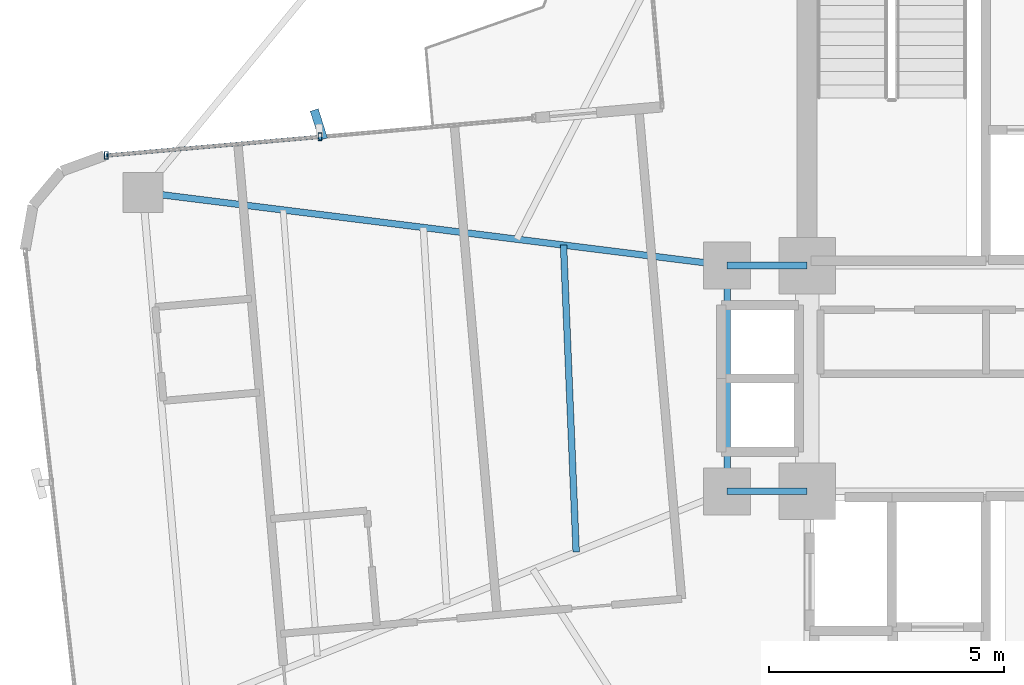
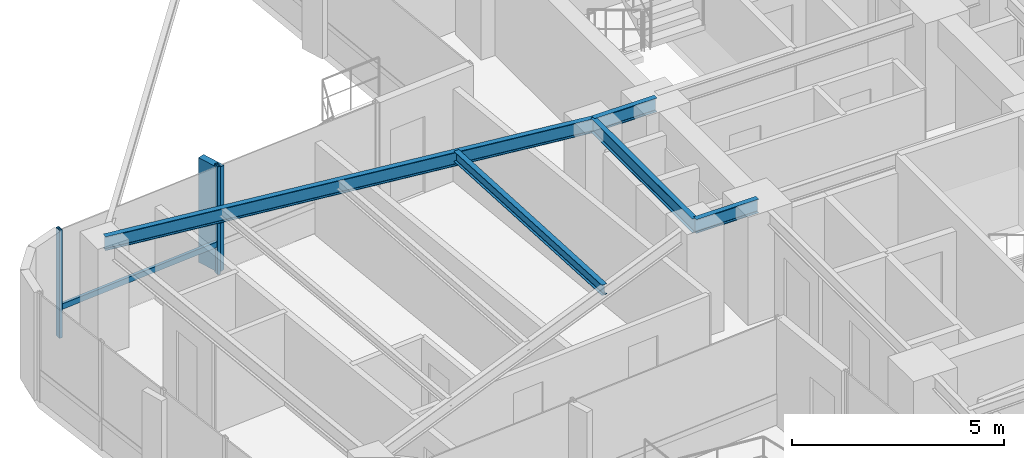
# One storey, part 9 of 24: 5 beams, 4 members, 1 element without a shape of its own.
"""IFC4 building model written with IfcOpenShell, lengths in metres."""

import ifcopenshell
import ifcopenshell.guid

model = None  # the IFC model being written
_history = None  # IfcOwnerHistory: only IFC2X3 demands one
_inside = {}  # id of a spatial element -> (the spatial element, [elements in it])
_under = {}  # id of a project, library or spatial element -> (it, [spatial elements below it])
_declared = {}  # id of a project -> (the project, [libraries it declares])
_typed = {}  # id of a type object -> (the type object, [elements of that type])
_made_of = {}  # id of a material, layer set ... -> (it, [elements and type objects made of it])


def new_model(schema):
    """Start an empty IFC model of exactly this schema.

    Asked for "IFC4X3", IfcOpenShell would pick the latest addendum, in which some entities
    have other attributes; the version numbers below select the first issue.
    IFC2X3 requires an IfcOwnerHistory on every rooted entity: one is made here for all.
    """
    global model, _history
    if schema == "IFC4X3":
        model = ifcopenshell.file(schema_version=(4, 3, 0, 0))
    else:
        model = ifcopenshell.file(schema=schema)
    _inside.clear()
    _under.clear()
    _declared.clear()
    _typed.clear()
    _made_of.clear()
    _history = None
    if model.schema == "IFC2X3":
        org = make("IfcOrganization", Name="unknown")
        user = make(
            "IfcPersonAndOrganization",
            ThePerson=make("IfcPerson", FamilyName="unknown"),
            TheOrganization=org,
        )
        app = make(
            "IfcApplication",
            ApplicationDeveloper=org,
            Version="unknown",
            ApplicationFullName="unknown",
            ApplicationIdentifier="unknown",
        )
        _history = make(
            "IfcOwnerHistory",
            OwningUser=user,
            OwningApplication=app,
            ChangeAction="ADDED",
            CreationDate=0,
        )
    return model


def make(cls, **values):
    """One entity of the class cls with the attributes given. An attribute that is None is left unset."""
    return model.create_entity(
        cls, **{name: value for name, value in values.items() if value is not None}
    )


def rooted(cls, **values):
    """An entity with a GlobalId (a new one), such as an element, a storey or a relation."""
    return make(cls, GlobalId=ifcopenshell.guid.new(), OwnerHistory=_history, **values)


def si_unit(unit_type, name, prefix=None):
    """IfcSIUnit, for example si_unit("LENGTHUNIT", "METRE", prefix="MILLI")."""
    return make("IfcSIUnit", UnitType=unit_type, Prefix=prefix, Name=name)


def assignment(units):
    """IfcUnitAssignment: the units of a project."""
    return None if units is None else make("IfcUnitAssignment", Units=units)


def point(xyz):
    """IfcCartesianPoint."""
    return None if xyz is None else make("IfcCartesianPoint", Coordinates=xyz)


def direction(xyz):
    """IfcDirection."""
    return None if xyz is None else make("IfcDirection", DirectionRatios=xyz)


def frame(location, z_axis=None, x_axis=None):
    """IfcAxis2Placement3D, a coordinate frame: its origin and axes. An axis left out is left unset."""
    return make(
        "IfcAxis2Placement3D",
        Location=point(location),
        Axis=direction(z_axis),
        RefDirection=direction(x_axis),
    )


def frame_2d(location, x_axis=None):
    """IfcAxis2Placement2D, a coordinate frame in the plane: its origin and x axis."""
    return make(
        "IfcAxis2Placement2D", Location=point(location), RefDirection=direction(x_axis)
    )


def origin():
    """The frame at (0, 0, 0) with its axes left unset."""
    return frame((0.0, 0.0, 0.0))


def origin_2d():
    """The frame at (0, 0) in the plane with its x axis left unset."""
    return frame_2d((0.0, 0.0))


def place(relative_to, where):
    """IfcLocalPlacement: puts the frame where relative to a parent placement (None: the world)."""
    return make(
        "IfcLocalPlacement", PlacementRelTo=relative_to, RelativePlacement=where
    )


def context(
    kind, dimensions, precision=None, world=None, true_north=None, identifier=None
):
    """IfcGeometricRepresentationContext, for example the 3D "Model" context."""
    return make(
        "IfcGeometricRepresentationContext",
        ContextIdentifier=identifier,
        ContextType=kind,
        CoordinateSpaceDimension=dimensions,
        Precision=precision,
        WorldCoordinateSystem=world,
        TrueNorth=true_north,
    )


def subcontext(parent, identifier, kind, view, scale=None):
    """IfcGeometricRepresentationSubContext, for example "Body" below "Model"."""
    return make(
        "IfcGeometricRepresentationSubContext",
        ContextIdentifier=identifier,
        ContextType=kind,
        ParentContext=parent,
        TargetScale=scale,
        TargetView=view,
    )


def project(units=None, contexts=None):
    """IfcProject with its units and contexts."""
    return rooted(
        "IfcProject",
        Name="project",
        RepresentationContexts=contexts,
        UnitsInContext=assignment(units),
    )


def spatial(cls, under=None, at=None, **own):
    """A site, building, storey or space (cls), placed at a placement, below another one or the project."""
    s = rooted(cls, ObjectPlacement=at, **own)
    if under is not None:
        _under.setdefault(under.id(), (under, []))[1].append(s)
    return s


def profile(cls, at=None, kind="AREA", **sizes):
    """A parametric profile (cls). Its sizes go by their IFC names, for example OverallWidth=200.0."""
    return make(cls, ProfileType=kind, Position=at, **sizes)


def rectangle(**sizes):
    """IfcRectangleProfileDef."""
    return profile("IfcRectangleProfileDef", **sizes)


def hollow_rectangle(**sizes):
    """IfcRectangleHollowProfileDef."""
    return profile("IfcRectangleHollowProfileDef", **sizes)


def i_section(**sizes):
    """IfcIShapeProfileDef."""
    return profile("IfcIShapeProfileDef", **sizes)


def extrude(swept, where, along, depth):
    """IfcExtrudedAreaSolid: the profile swept, set in the frame where, extruded along a direction by depth."""
    return make(
        "IfcExtrudedAreaSolid",
        SweptArea=swept,
        Position=where,
        ExtrudedDirection=direction(along),
        Depth=depth,
    )


def shape(context_of_items, identifier, shape_type, items):
    """IfcShapeRepresentation: the items that make up one representation, for example the "Body"."""
    return make(
        "IfcShapeRepresentation",
        ContextOfItems=context_of_items,
        RepresentationIdentifier=identifier,
        RepresentationType=shape_type,
        Items=items,
    )


def source(mapping_origin, context_of_items, identifier, shape_type, items):
    """IfcRepresentationMap: a shape defined once, which mapped items show again and again."""
    return make(
        "IfcRepresentationMap",
        MappingOrigin=mapping_origin,
        MappedRepresentation=shape(context_of_items, identifier, shape_type, items),
    )


def transform(
    local_origin,
    x_axis=None,
    y_axis=None,
    z_axis=None,
    scale=None,
    scale2=None,
    scale3=None,
    uniform=True,
):
    """IfcCartesianTransformationOperator3D, or its non-uniform kind. x_axis, y_axis, z_axis: its Axis1, 2, 3."""
    if uniform:
        return make(
            "IfcCartesianTransformationOperator3D",
            Axis1=direction(x_axis),
            Axis2=direction(y_axis),
            LocalOrigin=point(local_origin),
            Scale=scale,
            Axis3=direction(z_axis),
        )
    return make(
        "IfcCartesianTransformationOperator3DnonUniform",
        Axis1=direction(x_axis),
        Axis2=direction(y_axis),
        LocalOrigin=point(local_origin),
        Scale=scale,
        Axis3=direction(z_axis),
        Scale2=scale2,
        Scale3=scale3,
    )


def mapped(mapping_source, mapping_target):
    """IfcMappedItem: shows the shape of a source again, moved by a transform."""
    return make(
        "IfcMappedItem", MappingSource=mapping_source, MappingTarget=mapping_target
    )


def material(Name=None, Category=None):
    """IfcMaterial."""
    return make("IfcMaterial", Name=Name, Category=Category)


def material_profile(
    of_material, cross_section, Name=None, Category=None, Priority=None
):
    """IfcMaterialProfile: a cross section and its material."""
    return make(
        "IfcMaterialProfile",
        Name=Name,
        Material=of_material,
        Profile=cross_section,
        Priority=Priority,
        Category=Category,
    )


def profile_set(profiles, Name=None, composite=None):
    """IfcMaterialProfileSet."""
    return make(
        "IfcMaterialProfileSet",
        Name=Name,
        MaterialProfiles=profiles,
        CompositeProfile=composite,
    )


def made_of(thing, what):
    """Note that an element or type object is made of a material, layer set ...; save() writes the relation."""
    if what is not None:
        _made_of.setdefault(what.id(), (what, []))[1].append(thing)
    return thing


def type_object(cls, material=None, **own):
    """A type object (cls), such as IfcWallType, which elements share."""
    return made_of(rooted(cls, **own), material)


def element(
    cls,
    number,
    at=None,
    inside=None,
    cuts=None,
    type_object=None,
    material=None,
    context=None,
    identifier="Body",
    shape_type=None,
    held_by="IfcProductDefinitionShape",
    body=None,
    shapes=None,
    **own,
):
    """One element of the class cls, such as IfcWall. Its Tag is "e" and its number.

    at: its placement. inside: the storey or other place that contains it. cuts: it is an
    opening in that element (IfcRelVoidsElement). A single representation is given by context,
    identifier, shape_type and body (its items); several are given by shapes. held_by: the class
    of the entity that holds the representations. save() writes the other relations.
    """
    e = rooted(cls, Tag="e%d" % number, ObjectPlacement=at, **own)
    if body is not None:
        shapes = [shape(context, identifier, shape_type, body)]
    if shapes is not None:
        e.Representation = make(held_by, Representations=shapes)
    if inside is not None:
        _inside.setdefault(inside.id(), (inside, []))[1].append(e)
    if cuts is not None:
        rooted(
            "IfcRelVoidsElement", RelatingBuildingElement=cuts, RelatedOpeningElement=e
        )
    if type_object is not None:
        _typed.setdefault(type_object.id(), (type_object, []))[1].append(e)
    return made_of(e, material)


def aggregate(whole, parts):
    """IfcRelAggregates: a whole, such as a stair, and the parts it consists of."""
    return rooted("IfcRelAggregates", RelatingObject=whole, RelatedObjects=parts)


def save(model, path):
    """Write the relations noted so far, then the file.

    IfcRelAggregates (storeys below a building ...), IfcRelContainedInSpatialStructure (elements
    in a storey), IfcRelDefinesByType, IfcRelAssociatesMaterial and IfcRelDeclares: one each for
    every whole, place, type object, material and project.
    """
    for whole, parts in _under.values():
        aggregate(whole, parts)
    for where, things in _inside.values():
        rooted(
            "IfcRelContainedInSpatialStructure",
            RelatedElements=things,
            RelatingStructure=where,
        )
    for kind, things in _typed.values():
        rooted("IfcRelDefinesByType", RelatedObjects=things, RelatingType=kind)
    for what, things in _made_of.values():
        rooted("IfcRelAssociatesMaterial", RelatedObjects=things, RelatingMaterial=what)
    for by, libraries in _declared.values():
        rooted("IfcRelDeclares", RelatingContext=by, RelatedDefinitions=libraries)
    model.write(path)


model = new_model("IFC4")

# Units and contexts
model_context = context("Model", 3, precision=1e-05, world=origin(), true_north=direction((0.0, 1.0)))
body_context = subcontext(model_context, "Body", "Model", "MODEL_VIEW")
ifc_project = project(units=[si_unit("LENGTHUNIT", "METRE"), si_unit("AREAUNIT", "SQUARE_METRE"), si_unit("VOLUMEUNIT", "CUBIC_METRE"), si_unit("PLANEANGLEUNIT", "RADIAN"), si_unit("MASSUNIT", "GRAM", prefix="KILO")], contexts=[model_context])

# Site, building, storey
site_placement = place(None, origin())
site = spatial("IfcSite", under=ifc_project, at=site_placement, CompositionType="ELEMENT")
building_placement = place(site_placement, origin())
building = spatial("IfcBuilding", under=site, at=building_placement, Name="Sahyath Konkavel Grand Hotel", CompositionType="ELEMENT")
storey_placement = place(building_placement, frame((0.0, 0.0, 147.25)))
storey = spatial("IfcBuildingStorey", under=building, at=storey_placement, Name="L40", CompositionType="ELEMENT", Elevation=147.25)

# Beams
ifc_material_1 = material(Name="Steel E350", Category="steel")
ifc_material_profile_1 = material_profile(ifc_material_1, i_section(OverallWidth=0.139892578125, OverallDepth=0.39990234375, WebThickness=0.0087890625, FlangeThickness=0.01611328125, FilletRadius=0.013916015625, at=origin_2d()), Name="ISMB 400")
ifc_profile_set_1 = profile_set([ifc_material_profile_1], Name="Steel E350")
beam_type_1 = type_object("IfcBeamType", Name="BM-ISMB400", PredefinedType="BEAM", material=ifc_profile_set_1)
shared_shape_1 = source(origin(), body_context, "Body", "SweptSolid", [
    extrude(i_section(OverallWidth=0.139892578125, OverallDepth=0.39990234375, WebThickness=0.0087890625, FlangeThickness=0.01611328125, FilletRadius=0.013916015625, at=origin_2d()), origin(), (0.0, 0.0, 1.0), 1.699951171875),
])
for number, where, z_axis, x_axis, name in (
    (1, (-5.5, 2.39990234375, 2.909912109375), (1.0, 0.0, 0.0), (0.0, 1.0, 0.0), "str:bm:L40:HB-NW"),
    (2, (-5.5, -2.39990234375, 2.909912109375), (1.0, 0.0, 0.0), (0.0, 1.0, 0.0), "str:bm:L40:HB-SW"),
):
    element("IfcBeam", number, at=place(storey_placement, frame(where, z_axis=z_axis, x_axis=x_axis)), inside=storey, type_object=beam_type_1, Name=name, PredefinedType="BEAM", context=body_context, shape_type="MappedRepresentation", body=[
        mapped(shared_shape_1, transform((0.0, 0.0, 0.0), scale=1.0)),
    ])
shared_shape_2 = source(origin(), body_context, "Body", "SweptSolid", [
    extrude(i_section(OverallWidth=0.139892578125, OverallDepth=0.39990234375, WebThickness=0.0087890625, FlangeThickness=0.01611328125, FilletRadius=0.013916015625, at=origin_2d()), origin(), (0.0, 0.0, 1.0), 4.7998046875),
])
beam_1_placement = place(storey_placement, frame((-5.5, -2.39990234375, 2.909912109375), z_axis=(0.0, 1.0, 0.0), x_axis=(-1.0, 0.0, 0.0)))
element("IfcBeam", 3, at=beam_1_placement, inside=storey, type_object=beam_type_1, Name="str:bm:L40:HB-W", PredefinedType="BEAM", context=body_context, shape_type="MappedRepresentation", body=[
    mapped(shared_shape_2, transform((0.0, 0.0, 0.0), scale=1.0)),
])
shared_shape_3 = source(origin(), body_context, "Body", "SweptSolid", [
    extrude(i_section(OverallWidth=0.139892578125, OverallDepth=0.39990234375, WebThickness=0.0087890625, FlangeThickness=0.01611328125, FilletRadius=0.013916015625, at=origin_2d()), origin(), (0.0, 0.0, 1.0), 12.509765625),
])
beam_2_placement = place(storey_placement, frame((-5.5, 2.39990234375, 2.909912109375), z_axis=(-0.992254740459, 0.124219684578, 0.0), x_axis=(-0.124219684578, -0.992254740459, 0.0)))
element("IfcBeam", 4, at=beam_2_placement, inside=storey, type_object=beam_type_1, Name="L40 Cruciform Radial Girder WA", PredefinedType="BEAM", context=body_context, shape_type="MappedRepresentation", body=[
    mapped(shared_shape_3, transform((0.0, 0.0, 0.0), scale=1.0)),
])
ifc_material_profile_2 = material_profile(ifc_material_1, i_section(OverallWidth=0.139892578125, OverallDepth=0.300048828125, WebThickness=0.0078125, FlangeThickness=0.01318359375, FilletRadius=0.013916015625, at=origin_2d()), Name="ISMB 300")
ifc_profile_set_2 = profile_set([ifc_material_profile_2], Name="Steel E350")
beam_type_2 = type_object("IfcBeamType", Name="BM-ISMB300", PredefinedType="BEAM", material=ifc_profile_set_2)
shared_shape_4 = source(origin(), body_context, "Body", "SweptSolid", [
    extrude(i_section(OverallWidth=0.139892578125, OverallDepth=0.300048828125, WebThickness=0.0078125, FlangeThickness=0.01318359375, FilletRadius=0.013916015625, at=origin_2d()), origin(), (0.0, 0.0, 1.0), 6.530029296875),
])
beam_3_placement = place(storey_placement, frame((-8.9755859375, 2.835205078125, 2.9599609375), z_axis=(0.04112667768, -0.999153940283, 0.0), x_axis=(0.999153940283, 0.04112667768, 0.0)))
element("IfcBeam", 5, at=beam_3_placement, inside=storey, type_object=beam_type_2, Name="L40 Secondary Floor Beam W-1", PredefinedType="BEAM", context=body_context, shape_type="MappedRepresentation", body=[
    mapped(shared_shape_4, transform((0.0, 0.0, 0.0), scale=1.0)),
])

# Curtain wall, members
ifc_material_2 = material(Name="Anodised Bronze Aluminium & Low-E Glazing", Category="aluminium")
curtain_wall_type = type_object("IfcCurtainWallType", Name="CW-ZONE3", PredefinedType="NOTDEFINED", material=ifc_material_2)
curtain_wall_placement = place(storey_placement, origin())
curtain_wall = element("IfcCurtainWall", 6, at=curtain_wall_placement, inside=storey, type_object=curtain_wall_type, Name="L40 Unitised Curtain Wall F16", PredefinedType="NOTDEFINED")
ifc_material_3 = material(Name="Warm Buff Sandstone Cladding on Concrete C50/60", Category="masonry")
ifc_material_profile_3 = material_profile(ifc_material_3, rectangle(XDim=0.179931640625, YDim=0.64990234375, at=origin_2d()), Name="FIN 180x650")
ifc_profile_set_3 = profile_set([ifc_material_profile_3], Name="Warm Buff Sandstone Cladding on Concrete C50/60")
member_type_1 = type_object("IfcMemberType", Name="FIN-SANDSTONE-650", PredefinedType="MULLION", material=ifc_profile_set_3)
shared_shape_5 = source(origin(), body_context, "Body", "SweptSolid", [
    extrude(rectangle(XDim=0.179931640625, YDim=0.64990234375, at=origin_2d()), origin(), (0.0, 0.0, 1.0), 3.010009765625),
])
member_1_placement = place(storey_placement, frame((-14.17431640625, 5.39501953125, 0.050048828125), z_axis=(0.0, 0.0, 1.0), x_axis=(0.953716950748, 0.300705799504, 0.0)))
member_1 = element("IfcMember", 7, at=member_1_placement, type_object=member_type_1, Name="L40 Sandstone Vertical Solar Fin FIN F16-1", PredefinedType="MULLION", context=body_context, shape_type="MappedRepresentation", body=[
    mapped(shared_shape_5, transform((0.0, 0.0, 0.0), scale=1.0)),
])
ifc_material_4 = material(Name="Anodised Bronze Aluminium", Category="aluminium")
ifc_material_profile_4 = material_profile(ifc_material_4, hollow_rectangle(XDim=0.080078125, YDim=0.159912109375, WallThickness=0.006103515625, at=origin_2d()), Name="RHS 160x80x6")
ifc_profile_set_4 = profile_set([ifc_material_profile_4], Name="Anodised Bronze Aluminium")
member_type_2 = type_object("IfcMemberType", Name="CW-MUL-160", PredefinedType="MULLION", material=ifc_profile_set_4)
shared_shape_6 = source(origin(), body_context, "Body", "SweptSolid", [
    extrude(hollow_rectangle(XDim=0.080078125, YDim=0.159912109375, WallThickness=0.006103515625, at=origin_2d()), origin(), (0.0, 0.0, 1.0), 3.110107421875),
])
member_2_placement = place(storey_placement, frame((-14.151611328125, 5.135986328125, 0.0), z_axis=(0.0, 0.0, 1.0), x_axis=(1.0, 0.0, 0.0)))
member_2 = element("IfcMember", 8, at=member_2_placement, type_object=member_type_2, Name="L40 Curtain Wall Mullion F16-1", PredefinedType="MULLION", context=body_context, shape_type="MappedRepresentation", body=[
    mapped(shared_shape_6, transform((0.0, 0.0, 0.0), scale=1.0)),
])
member_3_placement = place(storey_placement, frame((-18.694091796875, 4.73876953125, 0.0), z_axis=(0.0, 0.0, 1.0), x_axis=(1.0, 0.0, 0.0)))
member_3 = element("IfcMember", 9, at=member_3_placement, type_object=member_type_2, Name="L40 Curtain Wall Mullion F16-2", PredefinedType="MULLION", context=body_context, shape_type="MappedRepresentation", body=[
    mapped(shared_shape_6, transform((0.0, 0.0, 0.0), scale=1.0)),
])
ifc_material_profile_5 = material_profile(ifc_material_4, hollow_rectangle(XDim=0.080078125, YDim=0.159912109375, WallThickness=0.006103515625, at=origin_2d()), Name="RHS 160x80x6")
ifc_profile_set_5 = profile_set([ifc_material_profile_5], Name="Anodised Bronze Aluminium")
member_type_3 = type_object("IfcMemberType", Name="CW-TRN-160", PredefinedType="USERDEFINED", material=ifc_profile_set_5)
shared_shape_7 = source(origin(), body_context, "Body", "SweptSolid", [
    extrude(hollow_rectangle(XDim=0.080078125, YDim=0.159912109375, WallThickness=0.006103515625, at=origin_2d()), origin(), (0.0, 0.0, 1.0), 4.559814453125),
])
member_4_placement = place(storey_placement, frame((-14.151611328125, 5.135986328125, 0.85009765625), z_axis=(-0.99619848155, -0.087112486804, 0.0), x_axis=(0.087112486804, -0.99619848155, 0.0)))
member_4 = element("IfcMember", 10, at=member_4_placement, type_object=member_type_3, Name="L40 Curtain Wall Transom F16-1-spandrel", ObjectType="TRANSOM", PredefinedType="USERDEFINED", context=body_context, shape_type="MappedRepresentation", body=[
    mapped(shared_shape_7, transform((0.0, 0.0, 0.0), scale=1.0)),
])
aggregate(curtain_wall, [member_2, member_1, member_3, member_4])

save(model, "model.ifc")
